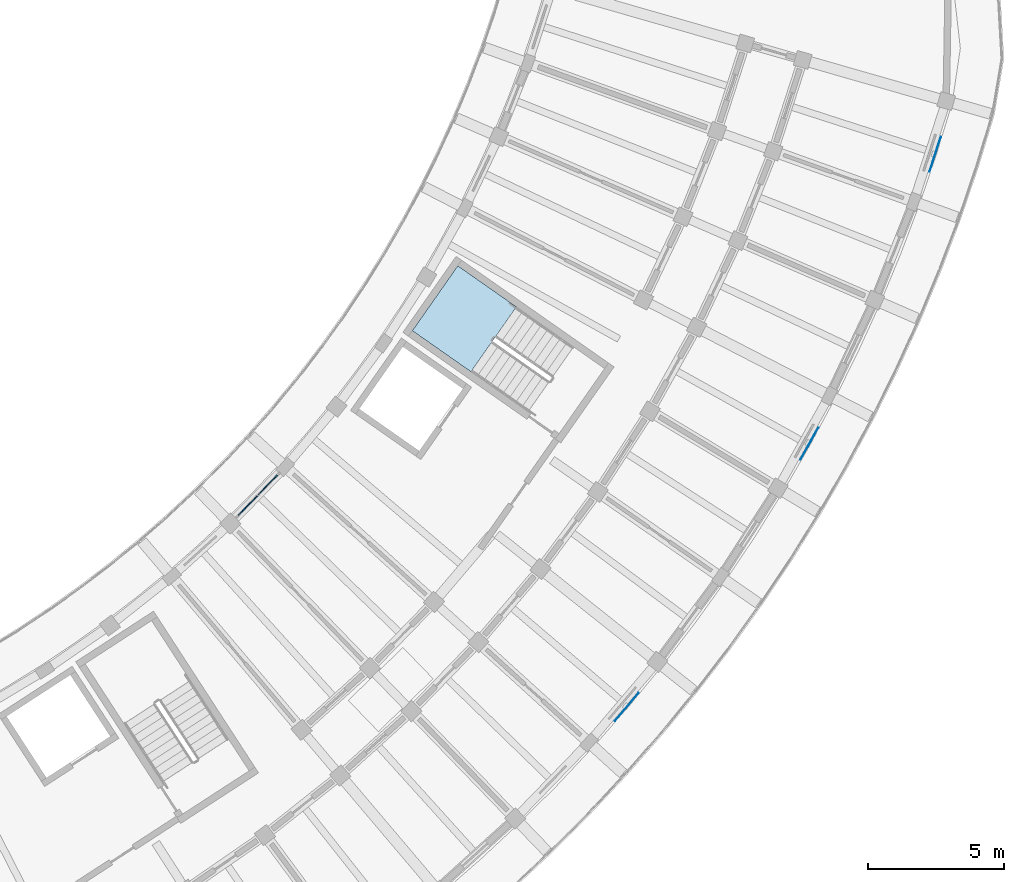
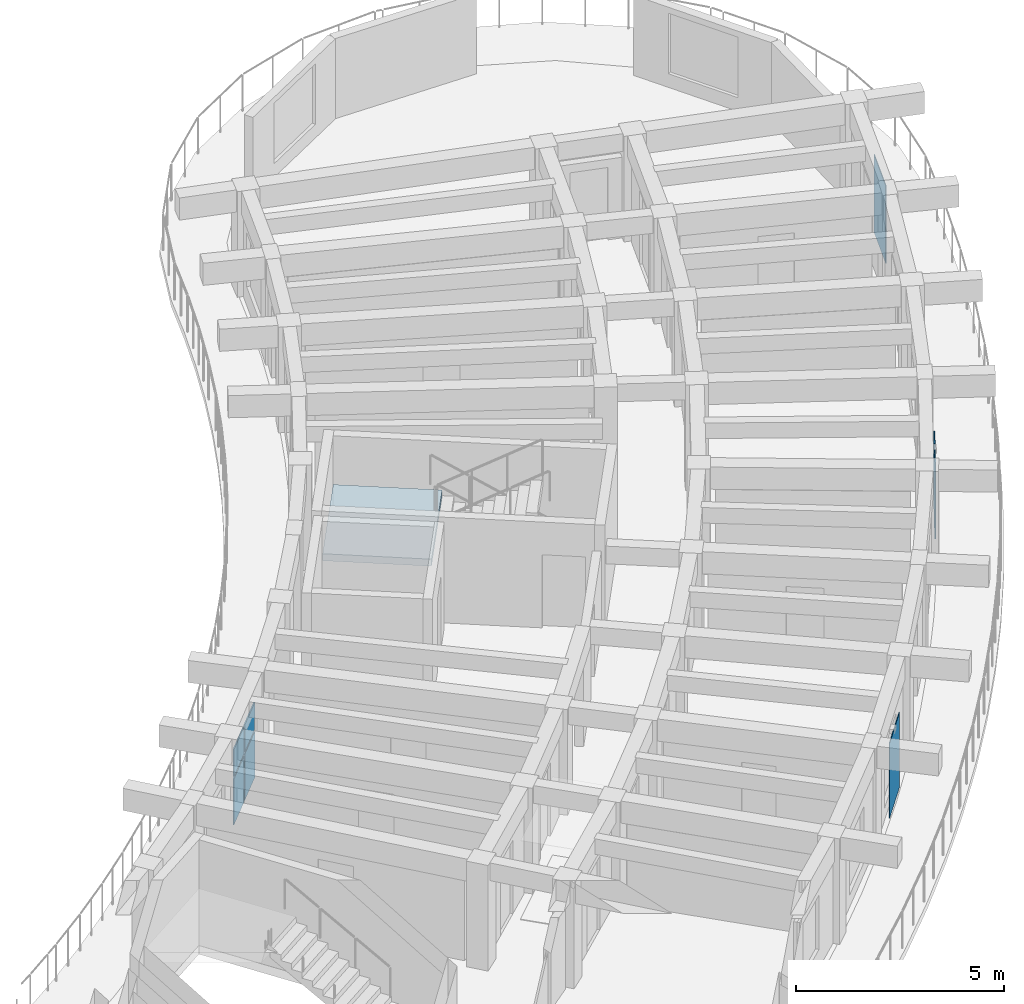
# One storey, part 31 of 81: 7 plates, 1 slab, 2 elements without a shape of their own.
"""IFC4 building model written with IfcOpenShell, lengths in metres."""

from ifc_helpers import new_model, si_unit, direction, frame, origin, origin_2d, place, context, subcontext, project, spatial, polyline, rectangle, outline, extrude, material, layer, layer_set, type_object, element, aggregate, save


model = new_model("IFC4")

# Units and contexts
model_context = context("Model", 3, precision=1e-05, world=origin(), true_north=direction((0.0, 1.0)))
body_context = subcontext(model_context, "Body", "Model", "MODEL_VIEW")
ifc_project = project(units=[si_unit("LENGTHUNIT", "METRE"), si_unit("AREAUNIT", "SQUARE_METRE"), si_unit("VOLUMEUNIT", "CUBIC_METRE"), si_unit("PLANEANGLEUNIT", "RADIAN"), si_unit("MASSUNIT", "GRAM", prefix="KILO")], contexts=[model_context])

# Site, building, storey
site_placement = place(None, origin())
site = spatial("IfcSite", under=ifc_project, at=site_placement, CompositionType="ELEMENT")
building_placement = place(site_placement, origin())
building = spatial("IfcBuilding", under=site, at=building_placement, Name="Tanwirah Colonnade Gardens", CompositionType="ELEMENT")
storey_placement = place(building_placement, frame((0.0, 0.0, 8.840087890625)))
storey = spatial("IfcBuildingStorey", under=building, at=storey_placement, Name="L02", CompositionType="ELEMENT", Elevation=8.840087890625)

# Curtain wall, plates
ifc_material_1 = material(Name="Bronze-anodised aluminium and solar-control low-E glass", Category="aluminium")
curtain_wall_type = type_object("IfcCurtainWallType", Name="CW-GDN", PredefinedType="NOTDEFINED", material=ifc_material_1)
curtain_wall_placement = place(storey_placement, origin())
curtain_wall = element("IfcCurtainWall", 1, at=curtain_wall_placement, inside=storey, type_object=curtain_wall_type, Name="Curtain Wall CW-D-L02-IN-08", PredefinedType="NOTDEFINED")
ifc_material_2 = material(Name="Acoustic solar-control low-E double glazing", Category="glass")
ifc_layer_1 = layer(ifc_material_2, 0.031982421875)
ifc_layer_set_1 = layer_set([ifc_layer_1], Name="Acoustic solar-control low-E double glazing")
plate_type_1 = type_object("IfcPlateType", Name="CWP-GLZ32", PredefinedType="CURTAIN_PANEL", material=ifc_layer_set_1)
plate_1_placement = place(storey_placement, frame((152.521240234375, 33.189208984375, 0.070068359375), z_axis=(0.0, 0.0, 1.0), x_axis=(0.696223466127, 0.717825107678, 0.0)))
plate_1 = element("IfcPlate", 2, at=plate_1_placement, type_object=plate_type_1, Name="CW-GDN panel 1.1", PredefinedType="CURTAIN_PANEL", context=body_context, shape_type="SweptSolid", body=[
    extrude(rectangle(XDim=0.9892578125, YDim=0.031982421875, at=origin_2d()), origin(), (0.0, 0.0, 1.0), 1.35498046875),
])
plate_2_placement = place(storey_placement, frame((152.521240234375, 33.189208984375, 1.4951171875), z_axis=(0.0, 0.0, 1.0), x_axis=(0.696223466127, 0.717825107678, 0.0)))
plate_2 = element("IfcPlate", 3, at=plate_2_placement, type_object=plate_type_1, Name="CW-GDN panel 1.2", PredefinedType="CURTAIN_PANEL", context=body_context, shape_type="SweptSolid", body=[
    extrude(rectangle(XDim=0.9892578125, YDim=0.031982421875, at=origin_2d()), origin(), (0.0, 0.0, 1.0), 0.789794921875),
])
plate_3_placement = place(storey_placement, frame((153.2587890625, 33.949462890625, 0.070068359375), z_axis=(0.0, 0.0, 1.0), x_axis=(0.696223466127, 0.717825107678, 0.0)))
plate_3 = element("IfcPlate", 4, at=plate_3_placement, type_object=plate_type_1, Name="CW-GDN panel 2.1", PredefinedType="CURTAIN_PANEL", context=body_context, shape_type="SweptSolid", body=[
    extrude(rectangle(XDim=0.9892578125, YDim=0.031982421875, at=origin_2d()), origin(), (0.0, 0.0, 1.0), 1.35498046875),
])
plate_4_placement = place(storey_placement, frame((153.2587890625, 33.949462890625, 1.4951171875), z_axis=(0.0, 0.0, 1.0), x_axis=(0.696223466127, 0.717825107678, 0.0)))
plate_4 = element("IfcPlate", 5, at=plate_4_placement, type_object=plate_type_1, Name="CW-GDN panel 2.2", PredefinedType="CURTAIN_PANEL", context=body_context, shape_type="SweptSolid", body=[
    extrude(rectangle(XDim=0.9892578125, YDim=0.031982421875, at=origin_2d()), origin(), (0.0, 0.0, 1.0), 0.789794921875),
])
aggregate(curtain_wall, [plate_1, plate_2, plate_3, plate_4])

# Plates
ifc_material_3 = material(Name="Laser-cut bronze aluminium solar screen plate", Category="aluminium")
ifc_layer_2 = layer(ifc_material_3, 0.02001953125)
ifc_layer_set_2 = layer_set([ifc_layer_2], Name="Laser-cut bronze aluminium solar screen plate")
plate_type_2 = type_object("IfcPlateType", Name="PLT-SCR20", PredefinedType="SHEET", material=ifc_layer_set_2)
plate_5_placement = place(storey_placement, frame((166.476806640625, 25.771240234375, 0.0), z_axis=(0.0, 0.0, 1.0), x_axis=(0.647787018861, 0.761821487092, 0.0)))
element("IfcPlate", 6, at=plate_5_placement, inside=storey, type_object=plate_type_2, Name="Perforated solar screen plate D-L02-09", PredefinedType="SHEET", context=body_context, shape_type="SweptSolid", body=[
    extrude(rectangle(XDim=1.35009765625, YDim=0.02001953125, at=origin_2d()), origin(), (0.0, 0.0, 1.0), 2.199951171875),
])
plate_6_placement = place(storey_placement, frame((173.202392578125, 35.46630859375, 0.0), z_axis=(0.0, 0.0, 1.0), x_axis=(0.486717384336, 0.873559492985, 0.0)))
element("IfcPlate", 7, at=plate_6_placement, inside=storey, type_object=plate_type_2, Name="Perforated solar screen plate D-L02-12", PredefinedType="SHEET", context=body_context, shape_type="SweptSolid", body=[
    extrude(rectangle(XDim=1.35009765625, YDim=0.02001953125, at=origin_2d()), origin(), (0.0, 0.0, 1.0), 2.2099609375),
])
plate_7_placement = place(storey_placement, frame((177.8359375, 46.12255859375, 0.0), z_axis=(0.0, 0.0, 1.0), x_axis=(0.30694295016, 0.951727915608, 0.0)))
element("IfcPlate", 8, at=plate_7_placement, inside=storey, type_object=plate_type_2, Name="Perforated solar screen plate D-L02-15", PredefinedType="SHEET", context=body_context, shape_type="SweptSolid", body=[
    extrude(rectangle(XDim=1.35009765625, YDim=0.02001953125, at=origin_2d()), origin(), (0.0, 0.0, 1.0), 2.284912109375),
])

# Stair, slab
ifc_material_4 = material(Name="Precast concrete C40/50", Category="concrete")
stair_type = type_object("IfcStairType", Name="ST-RES168", PredefinedType="HALF_TURN_STAIR", material=ifc_material_4)
stair_placement = place(storey_placement, origin())
stair = element("IfcStair", 9, at=stair_placement, inside=storey, type_object=stair_type, Name="L02 Block D Core 2 Exit Stair", PredefinedType="HALF_TURN_STAIR")
ifc_layer_3 = layer(ifc_material_4, 0.205078125)
ifc_layer_set_3 = layer_set([ifc_layer_3], Name="Precast concrete C40/50")
slab_type = type_object("IfcSlabType", Name="SL-LND-205", PredefinedType="LANDING", material=ifc_layer_set_3)
slab_placement = place(storey_placement, frame((0.0, 0.0, 1.474853515625)))
slab = element("IfcSlab", 10, at=slab_placement, type_object=slab_type, Name="ST-D2 landing 1", PredefinedType="LANDING", context=body_context, shape_type="SweptSolid", body=[
    extrude(outline(polyline([(162.412841796875, 40.507568359375), (160.25439453125, 42.018798828125), (158.57958984375, 39.626953125), (160.738037109375, 38.11572265625), (162.412841796875, 40.507568359375)])), origin(), (0.0, 0.0, 1.0), 0.205078125),
])
aggregate(stair, [slab])

save(model, "model.ifc")
